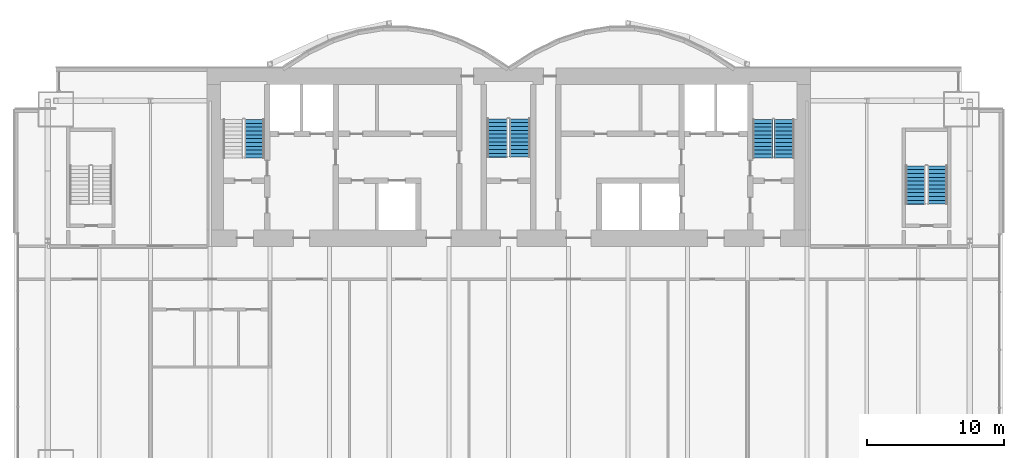
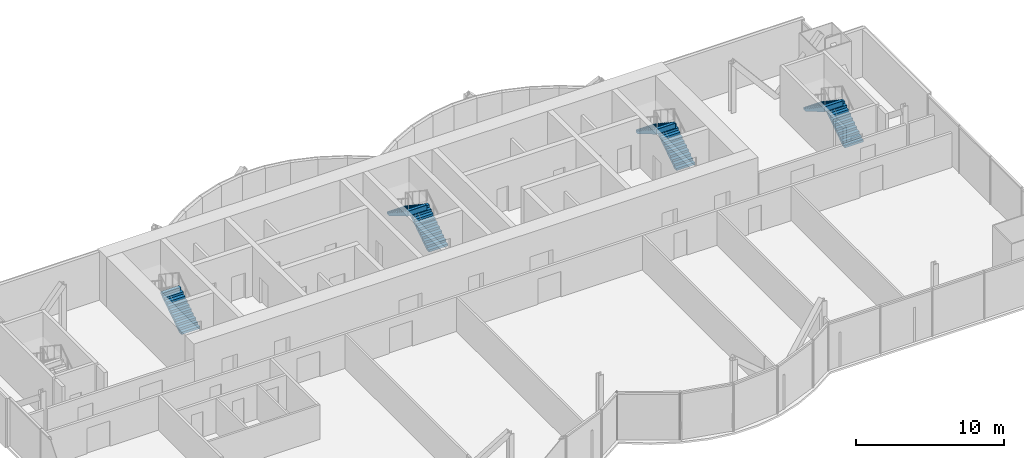
# One storey, part 17 of 20: 7 stair flights, 4 elements without a shape of their own.
"""IFC4 building model written with IfcOpenShell, lengths in metres."""

from ifc_helpers import new_model, si_unit, direction, frame, origin, place, context, subcontext, project, spatial, polyline, outline, extrude, material, type_object, element, aggregate, save


model = new_model("IFC4")

# Units and contexts
model_context = context("Model", 3, precision=1e-05, world=origin(), true_north=direction((0.0, 1.0)))
body_context = subcontext(model_context, "Body", "Model", "MODEL_VIEW")
ifc_project = project(units=[si_unit("LENGTHUNIT", "METRE"), si_unit("AREAUNIT", "SQUARE_METRE"), si_unit("VOLUMEUNIT", "CUBIC_METRE"), si_unit("PLANEANGLEUNIT", "RADIAN"), si_unit("MASSUNIT", "GRAM", prefix="KILO")], contexts=[model_context])

# Site, building, storey
site_placement = place(None, origin())
site = spatial("IfcSite", under=ifc_project, at=site_placement, CompositionType="ELEMENT")
building_placement = place(site_placement, origin())
building = spatial("IfcBuilding", under=site, at=building_placement, Name="Bicima Exchange Tower", CompositionType="ELEMENT")
storey_placement = place(building_placement, frame((0.0, 0.0, 207.300048828125)))
storey = spatial("IfcBuildingStorey", under=building, at=storey_placement, Name="L46", CompositionType="ELEMENT", Elevation=207.300048828125)

# Stair, stair flight
ifc_material = material(Name="Concrete C50/60", Category="concrete")
stair_type_1 = type_object("IfcStairType", Name="Exit stair", PredefinedType="HALF_TURN_STAIR", material=ifc_material)
stair_1_placement = place(storey_placement, origin())
stair_1 = element("IfcStair", 1, at=stair_1_placement, inside=storey, type_object=stair_type_1, Name="L46 West exit stair", PredefinedType="HALF_TURN_STAIR")
stair_flight_type_1 = type_object("IfcStairFlightType", Name="Stair flight RC", PredefinedType="STRAIGHT", material=ifc_material)
stair_flight_1_placement = place(storey_placement, frame((-18.52490234375, -6.550048828125, 0.0), z_axis=(0.0, 0.0, 1.0), x_axis=(0.0, 1.0, 0.0)))
stair_flight_1 = element("IfcStairFlight", 2, at=stair_flight_1_placement, type_object=stair_flight_type_1, Name="ST-W flight 1", NumberOfRisers=11, NumberOfTreads=10, PredefinedType="STRAIGHT", RiserHeight=0.186363636, TreadLength=0.28, context=body_context, shape_type="SweptSolid", body=[
    extrude(outline(polyline([(0.0, 0.0), (0.0, 0.186279296875), (0.280029296875, 0.186279296875), (0.280029296875, 0.372802734375), (0.56005859375, 0.372802734375), (0.56005859375, 0.55908203125), (0.840087890625, 0.55908203125), (0.840087890625, 0.745361328125), (1.1201171875, 0.745361328125), (1.1201171875, 0.931884765625), (1.39990234375, 0.931884765625), (1.39990234375, 1.1181640625), (1.679931640625, 1.1181640625), (1.679931640625, 1.304443359375), (1.9599609375, 1.304443359375), (1.9599609375, 1.490966796875), (2.239990234375, 1.490966796875), (2.239990234375, 1.67724609375), (2.52001953125, 1.67724609375), (2.52001953125, 1.863525390625), (2.800048828125, 1.863525390625), (2.800048828125, 2.050048828125), (2.800048828125, 1.68359375), (0.2705078125, 0.0), (0.0, 0.0)])), frame((0.0, 0.72509765625, 0.0), z_axis=(0.0, -1.0, 0.0), x_axis=(1.0, 0.0, 0.0)), (0.0, 0.0, 1.0), 1.449951171875),
])
aggregate(stair_1, [stair_flight_1])

# Stair, stair flights
stair_2_placement = place(storey_placement, origin())
stair_2 = element("IfcStair", 3, at=stair_2_placement, inside=storey, type_object=stair_type_1, Name="L46 East exit stair", PredefinedType="HALF_TURN_STAIR")
stair_flight_2_placement = place(storey_placement, frame((20.074951171875, -6.550048828125, 0.0), z_axis=(0.0, 0.0, 1.0), x_axis=(0.0, 1.0, 0.0)))
stair_flight_2 = element("IfcStairFlight", 4, at=stair_flight_2_placement, type_object=stair_flight_type_1, Name="ST-E flight 1", NumberOfRisers=11, NumberOfTreads=10, PredefinedType="STRAIGHT", RiserHeight=0.186363636, TreadLength=0.28, context=body_context, shape_type="SweptSolid", body=[
    extrude(outline(polyline([(0.0, 0.0), (0.0, 0.186279296875), (0.280029296875, 0.186279296875), (0.280029296875, 0.372802734375), (0.56005859375, 0.372802734375), (0.56005859375, 0.55908203125), (0.840087890625, 0.55908203125), (0.840087890625, 0.745361328125), (1.1201171875, 0.745361328125), (1.1201171875, 0.931884765625), (1.39990234375, 0.931884765625), (1.39990234375, 1.1181640625), (1.679931640625, 1.1181640625), (1.679931640625, 1.304443359375), (1.9599609375, 1.304443359375), (1.9599609375, 1.490966796875), (2.239990234375, 1.490966796875), (2.239990234375, 1.67724609375), (2.52001953125, 1.67724609375), (2.52001953125, 1.863525390625), (2.800048828125, 1.863525390625), (2.800048828125, 2.050048828125), (2.800048828125, 1.68359375), (0.2705078125, 0.0), (0.0, 0.0)])), frame((0.0, 0.72509765625, 0.0), z_axis=(0.0, -1.0, 0.0), x_axis=(1.0, 0.0, 0.0)), (0.0, 0.0, 1.0), 1.449951171875),
])
stair_flight_3_placement = place(storey_placement, frame((18.52490234375, -3.75, 2.050048828125), z_axis=(0.0, 0.0, 1.0), x_axis=(0.0, -1.0, 0.0)))
stair_flight_3 = element("IfcStairFlight", 5, at=stair_flight_3_placement, type_object=stair_flight_type_1, Name="ST-E flight 2", NumberOfRisers=11, NumberOfTreads=10, PredefinedType="STRAIGHT", RiserHeight=0.186363636, TreadLength=0.28, context=body_context, shape_type="SweptSolid", body=[
    extrude(outline(polyline([(0.0, 0.0), (0.0, 0.186279296875), (0.280029296875, 0.186279296875), (0.280029296875, 0.372802734375), (0.56005859375, 0.372802734375), (0.56005859375, 0.55908203125), (0.840087890625, 0.55908203125), (0.840087890625, 0.745361328125), (1.1201171875, 0.745361328125), (1.1201171875, 0.931884765625), (1.39990234375, 0.931884765625), (1.39990234375, 1.1181640625), (1.679931640625, 1.1181640625), (1.679931640625, 1.304443359375), (1.9599609375, 1.304443359375), (1.9599609375, 1.490966796875), (2.239990234375, 1.490966796875), (2.239990234375, 1.67724609375), (2.52001953125, 1.67724609375), (2.52001953125, 1.863525390625), (2.800048828125, 1.863525390625), (2.800048828125, 1.904052734375), (2.81494140625, 1.904052734375), (2.81494140625, 1.507080078125), (0.2705078125, 0.0), (0.0, 0.0)])), frame((0.0, 0.72509765625, 0.0), z_axis=(0.0, -1.0, 0.0), x_axis=(1.0, 0.0, 0.0)), (0.0, 0.0, 1.0), 1.449951171875),
])
aggregate(stair_2, [stair_flight_2, stair_flight_3])

stair_3_placement = place(storey_placement, origin())
stair_3 = element("IfcStair", 6, at=stair_3_placement, inside=storey, type_object=stair_type_1, Name="L46 East end exit stair", PredefinedType="HALF_TURN_STAIR")
stair_flight_4_placement = place(storey_placement, frame((31.25, -9.925048828125, 0.0), z_axis=(0.0, 0.0, 1.0), x_axis=(0.0, 1.0, 0.0)))
stair_flight_4 = element("IfcStairFlight", 7, at=stair_flight_4_placement, type_object=stair_flight_type_1, Name="ST-EE flight 1", NumberOfRisers=11, NumberOfTreads=10, PredefinedType="STRAIGHT", RiserHeight=0.186363636, TreadLength=0.28, context=body_context, shape_type="SweptSolid", body=[
    extrude(outline(polyline([(0.0, 0.0), (0.0, 0.186279296875), (0.280029296875, 0.186279296875), (0.280029296875, 0.372802734375), (0.56005859375, 0.372802734375), (0.56005859375, 0.55908203125), (0.840087890625, 0.55908203125), (0.840087890625, 0.745361328125), (1.1201171875, 0.745361328125), (1.1201171875, 0.931884765625), (1.39990234375, 0.931884765625), (1.39990234375, 1.1181640625), (1.679931640625, 1.1181640625), (1.679931640625, 1.304443359375), (1.9599609375, 1.304443359375), (1.9599609375, 1.490966796875), (2.239990234375, 1.490966796875), (2.239990234375, 1.67724609375), (2.52001953125, 1.67724609375), (2.52001953125, 1.863525390625), (2.800048828125, 1.863525390625), (2.800048828125, 2.050048828125), (2.800048828125, 1.68359375), (0.2705078125, 0.0), (0.0, 0.0)])), frame((0.0, 0.72509765625, 0.0), z_axis=(0.0, -1.0, 0.0), x_axis=(1.0, 0.0, 0.0)), (0.0, 0.0, 1.0), 1.449951171875),
])
stair_flight_5_placement = place(storey_placement, frame((29.64990234375, -7.125, 2.050048828125), z_axis=(0.0, 0.0, 1.0), x_axis=(0.0, -1.0, 0.0)))
stair_flight_5 = element("IfcStairFlight", 8, at=stair_flight_5_placement, type_object=stair_flight_type_1, Name="ST-EE flight 2", NumberOfRisers=11, NumberOfTreads=10, PredefinedType="STRAIGHT", RiserHeight=0.186363636, TreadLength=0.28, context=body_context, shape_type="SweptSolid", body=[
    extrude(outline(polyline([(0.0, 0.0), (0.0, 0.186279296875), (0.280029296875, 0.186279296875), (0.280029296875, 0.372802734375), (0.56005859375, 0.372802734375), (0.56005859375, 0.55908203125), (0.840087890625, 0.55908203125), (0.840087890625, 0.745361328125), (1.1201171875, 0.745361328125), (1.1201171875, 0.931884765625), (1.39990234375, 0.931884765625), (1.39990234375, 1.1181640625), (1.679931640625, 1.1181640625), (1.679931640625, 1.304443359375), (1.9599609375, 1.304443359375), (1.9599609375, 1.490966796875), (2.239990234375, 1.490966796875), (2.239990234375, 1.67724609375), (2.52001953125, 1.67724609375), (2.52001953125, 1.863525390625), (2.800048828125, 1.863525390625), (2.800048828125, 1.904052734375), (2.81494140625, 1.904052734375), (2.81494140625, 1.507080078125), (0.2705078125, 0.0), (0.0, 0.0)])), frame((0.0, 0.72509765625, 0.0), z_axis=(0.0, -1.0, 0.0), x_axis=(1.0, 0.0, 0.0)), (0.0, 0.0, 1.0), 1.449951171875),
])
aggregate(stair_3, [stair_flight_4, stair_flight_5])

stair_type_2 = type_object("IfcStairType", Name="Exit stair 1500", PredefinedType="HALF_TURN_STAIR", material=ifc_material)
stair_4_placement = place(storey_placement, origin())
stair_4 = element("IfcStair", 9, at=stair_4_placement, inside=storey, type_object=stair_type_2, Name="L46 Central exit stair", PredefinedType="HALF_TURN_STAIR")
stair_flight_type_2 = type_object("IfcStairFlightType", Name="Stair flight RC 1500", PredefinedType="STRAIGHT", material=ifc_material)
stair_flight_6_placement = place(storey_placement, frame((0.824951171875, -6.5, 0.0), z_axis=(0.0, 0.0, 1.0), x_axis=(0.0, 1.0, 0.0)))
stair_flight_6 = element("IfcStairFlight", 10, at=stair_flight_6_placement, type_object=stair_flight_type_2, Name="ST-C flight 1", NumberOfRisers=11, NumberOfTreads=10, PredefinedType="STRAIGHT", RiserHeight=0.186363636, TreadLength=0.28, context=body_context, shape_type="SweptSolid", body=[
    extrude(outline(polyline([(0.0, 0.0), (0.0, 0.186279296875), (0.280029296875, 0.186279296875), (0.280029296875, 0.372802734375), (0.56005859375, 0.372802734375), (0.56005859375, 0.55908203125), (0.840087890625, 0.55908203125), (0.840087890625, 0.745361328125), (1.1201171875, 0.745361328125), (1.1201171875, 0.931884765625), (1.39990234375, 0.931884765625), (1.39990234375, 1.1181640625), (1.679931640625, 1.1181640625), (1.679931640625, 1.304443359375), (1.9599609375, 1.304443359375), (1.9599609375, 1.490966796875), (2.239990234375, 1.490966796875), (2.239990234375, 1.67724609375), (2.52001953125, 1.67724609375), (2.52001953125, 1.863525390625), (2.800048828125, 1.863525390625), (2.800048828125, 2.050048828125), (2.800048828125, 1.68359375), (0.2705078125, 0.0), (0.0, 0.0)])), frame((0.0, 0.75, 0.0), z_axis=(0.0, -1.0, 0.0), x_axis=(1.0, 0.0, 0.0)), (0.0, 0.0, 1.0), 1.5),
])
stair_flight_7_placement = place(storey_placement, frame((-0.824951171875, -3.699951171875, 2.050048828125), z_axis=(0.0, 0.0, 1.0), x_axis=(0.0, -1.0, 0.0)))
stair_flight_7 = element("IfcStairFlight", 11, at=stair_flight_7_placement, type_object=stair_flight_type_2, Name="ST-C flight 2", NumberOfRisers=11, NumberOfTreads=10, PredefinedType="STRAIGHT", RiserHeight=0.186363636, TreadLength=0.28, context=body_context, shape_type="SweptSolid", body=[
    extrude(outline(polyline([(0.0, 0.0), (0.0, 0.186279296875), (0.280029296875, 0.186279296875), (0.280029296875, 0.372802734375), (0.56005859375, 0.372802734375), (0.56005859375, 0.55908203125), (0.840087890625, 0.55908203125), (0.840087890625, 0.745361328125), (1.1201171875, 0.745361328125), (1.1201171875, 0.931884765625), (1.39990234375, 0.931884765625), (1.39990234375, 1.1181640625), (1.679931640625, 1.1181640625), (1.679931640625, 1.304443359375), (1.9599609375, 1.304443359375), (1.9599609375, 1.490966796875), (2.239990234375, 1.490966796875), (2.239990234375, 1.67724609375), (2.52001953125, 1.67724609375), (2.52001953125, 1.863525390625), (2.800048828125, 1.863525390625), (2.800048828125, 1.904052734375), (2.81494140625, 1.904052734375), (2.81494140625, 1.507080078125), (0.2705078125, 0.0), (0.0, 0.0)])), frame((0.0, 0.75, 0.0), z_axis=(0.0, -1.0, 0.0), x_axis=(1.0, 0.0, 0.0)), (0.0, 0.0, 1.0), 1.5),
])
aggregate(stair_4, [stair_flight_6, stair_flight_7])

save(model, "model.ifc")
